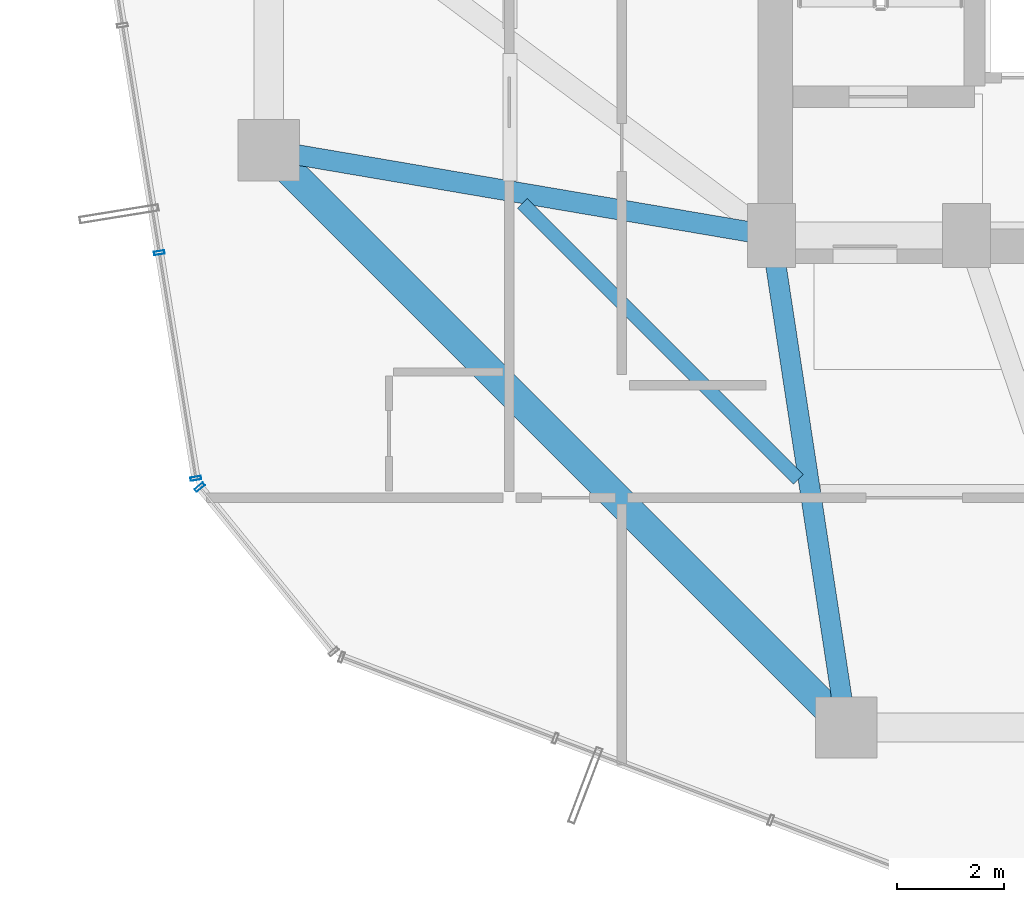
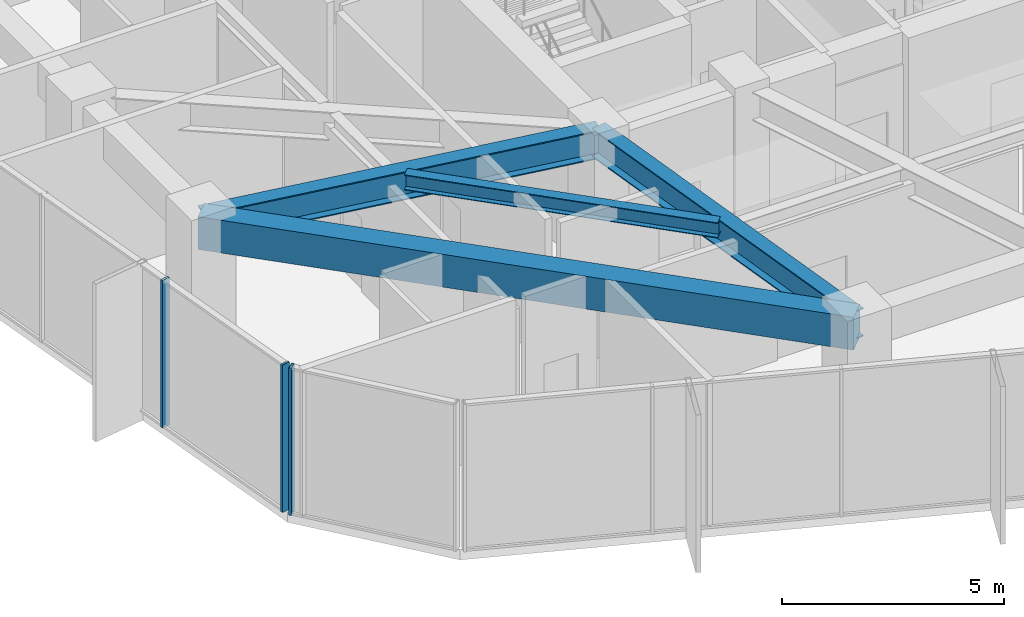
# One storey, part 4 of 26: 4 beams, 3 members, 2 elements without a shape of their own.
"""IFC4 building model written with IfcOpenShell, lengths in metres."""

from ifc_helpers import new_model, si_unit, direction, frame, origin, origin_2d, place, context, subcontext, project, spatial, rectangle, hollow_rectangle, i_section, extrude, source, transform, mapped, material, layer, layer_set, material_profile, profile_set, type_object, element, aggregate, save


model = new_model("IFC4")

# Units and contexts
model_context = context("Model", 3, precision=1e-05, world=origin(), true_north=direction((0.0, 1.0)))
body_context = subcontext(model_context, "Body", "Model", "MODEL_VIEW")
ifc_project = project(units=[si_unit("LENGTHUNIT", "METRE"), si_unit("AREAUNIT", "SQUARE_METRE"), si_unit("VOLUMEUNIT", "CUBIC_METRE"), si_unit("PLANEANGLEUNIT", "RADIAN"), si_unit("MASSUNIT", "GRAM", prefix="KILO")], contexts=[model_context])

# Site, building, storey
site_placement = place(None, origin())
site = spatial("IfcSite", under=ifc_project, at=site_placement, CompositionType="ELEMENT")
building_placement = place(site_placement, origin())
building = spatial("IfcBuilding", under=site, at=building_placement, Name="Veraguas Prism Commons", CompositionType="ELEMENT")
storey_placement = place(building_placement, frame((0.0, 0.0, 158.75)))
storey = spatial("IfcBuildingStorey", under=building, at=storey_placement, Name="L45", CompositionType="ELEMENT", Elevation=158.75)

# Beams
ifc_material_1 = material(Name="Steel ASTM A992 Grade 50", Category="steel")
ifc_material_profile_1 = material_profile(ifc_material_1, i_section(OverallWidth=0.382080078125, OverallDepth=0.779052734375, WebThickness=0.01806640625, FlangeThickness=0.030029296875, at=origin_2d()), Name="W760X284")
ifc_profile_set_1 = profile_set([ifc_material_profile_1], Name="Steel ASTM A992 Grade 50")
beam_type_1 = type_object("IfcBeamType", Name="Assembly Primary Girder W760x284", PredefinedType="BEAM", material=ifc_profile_set_1)
beam_1_placement = place(storey_placement, frame((7.800048828125, 18.60009765625, 3.660400390625), z_axis=(0.985819187151, -0.1678109956, 0.0), x_axis=(0.1678109956, 0.985819187151, 0.0)))
element("IfcBeam", 1, at=beam_1_placement, inside=storey, type_object=beam_type_1, Name="Radial Floor Girder L45-RD09", PredefinedType="BEAM", context=body_context, shape_type="SweptSolid", body=[
    extrude(i_section(OverallWidth=0.382080078125, OverallDepth=0.779052734375, WebThickness=0.01806640625, FlangeThickness=0.030029296875, at=origin_2d()), origin(), (0.0, 0.0, 1.0), 9.53515625),
])
beam_2_placement = place(storey_placement, frame((18.60009765625, 7.800048828125, 3.660400390625), z_axis=(-0.150458162136, 0.98861637729, 0.0), x_axis=(-0.98861637729, -0.150458162136, 0.0)))
element("IfcBeam", 2, at=beam_2_placement, inside=storey, type_object=beam_type_1, Name="Radial Floor Girder L45-RD10", PredefinedType="BEAM", context=body_context, shape_type="SweptSolid", body=[
    extrude(i_section(OverallWidth=0.382080078125, OverallDepth=0.779052734375, WebThickness=0.01806640625, FlangeThickness=0.030029296875, at=origin_2d()), origin(), (0.0, 0.0, 1.0), 9.305908203125),
])
ifc_material_profile_2 = material_profile(ifc_material_1, i_section(OverallWidth=0.260986328125, OverallDepth=0.419921875, WebThickness=0.01171875, FlangeThickness=0.019287109375, at=origin_2d()), Name="W410X114")
ifc_profile_set_2 = profile_set([ifc_material_profile_2], Name="Steel ASTM A992 Grade 50")
beam_type_2 = type_object("IfcBeamType", Name="Lower Floor Joist W410x114", PredefinedType="JOIST", material=ifc_profile_set_2)
beam_3_placement = place(storey_placement, frame((12.54296875, 17.60107421875, 3.840087890625), z_axis=(0.707090051465, -0.707123510512, 0.0), x_axis=(0.707123510512, 0.707090051465, 0.0)))
element("IfcBeam", 3, at=beam_3_placement, inside=storey, type_object=beam_type_2, Name="Composite Floor Joist L45-JS09", PredefinedType="JOIST", context=body_context, shape_type="SweptSolid", body=[
    extrude(i_section(OverallWidth=0.260986328125, OverallDepth=0.419921875, WebThickness=0.01171875, FlangeThickness=0.019287109375, at=origin_2d()), origin(), (0.0, 0.0, 1.0), 7.296630859375),
])
ifc_material_2 = material(Name="Concrete C50/60", Category="concrete")
ifc_material_profile_3 = material_profile(ifc_material_2, rectangle(XDim=0.550048828125, YDim=0.89990234375, at=origin_2d()), Name="RC550X900")
ifc_profile_set_3 = profile_set([ifc_material_profile_3], Name="Concrete C50/60")
beam_type_3 = type_object("IfcBeamType", Name="Perimeter Spandrel Lower RC 550x900", PredefinedType="SPANDREL", material=ifc_profile_set_3)
beam_4_placement = place(storey_placement, frame((7.800048828125, 18.60009765625, 3.60009765625), z_axis=(0.707106781187, -0.707106781187, 0.0), x_axis=(0.707106781187, 0.707106781187, 0.0)))
element("IfcBeam", 4, at=beam_4_placement, inside=storey, type_object=beam_type_3, Name="Perimeter Spandrel Beam L45-SP09", PredefinedType="SPANDREL", context=body_context, shape_type="SweptSolid", body=[
    extrude(rectangle(XDim=0.550048828125, YDim=0.89990234375, at=origin_2d()), origin(), (0.0, 0.0, 1.0), 15.273681640625),
])

# Curtain wall, members
ifc_material_3 = material(Name="Anodised aluminium EN AW-6063 T6", Category="aluminium")
ifc_layer = layer(ifc_material_3, 0.199951171875, Name="Sky Lobby and Pool Acoustic Curtain Wall", Category="aluminium")
ifc_layer_set = layer_set([ifc_layer], Name="Anodised aluminium EN AW-6063 T6")
curtain_wall_type = type_object("IfcCurtainWallType", Name="Sky Lobby and Pool Acoustic Curtain Wall", PredefinedType="NOTDEFINED", material=ifc_layer_set)
curtain_wall_1_placement = place(storey_placement, origin())
curtain_wall_1 = element("IfcCurtainWall", 5, at=curtain_wall_1_placement, inside=storey, type_object=curtain_wall_type, Name="Tower Facade Curtain Wall L45-F3", PredefinedType="NOTDEFINED")
ifc_material_profile_4 = material_profile(ifc_material_3, hollow_rectangle(XDim=0.06494140625, YDim=0.199951171875, WallThickness=0.00390625, at=origin_2d()), Name="AL65X200X4")
ifc_profile_set_4 = profile_set([ifc_material_profile_4], Name="Anodised aluminium EN AW-6063 T6")
member_type = type_object("IfcMemberType", Name="Curtain Wall Mullion Heavy AL 65x200x4", PredefinedType="MULLION", material=ifc_profile_set_4)
shared_shape = source(origin(), body_context, "Body", "SweptSolid", [
    extrude(hollow_rectangle(XDim=0.06494140625, YDim=0.199951171875, WallThickness=0.00390625, at=origin_2d()), origin(), (0.0, 0.0, 1.0), 4.050048828125),
])
member_1_placement = place(storey_placement, frame((5.753173828125, 16.679931640625, 0.0), z_axis=(0.0, 0.0, 1.0), x_axis=(0.159877741935, -0.987136823158, 0.0)))
member_1 = element("IfcMember", 6, at=member_1_placement, type_object=member_type, Name="CW-SKY Mullion 4", PredefinedType="MULLION", context=body_context, shape_type="MappedRepresentation", body=[
    mapped(shared_shape, transform((0.0, 0.0, 0.0), scale=1.0)),
])
member_2_placement = place(storey_placement, frame((6.436767578125, 12.458740234375, 0.0), z_axis=(0.0, 0.0, 1.0), x_axis=(0.159877741935, -0.987136823158, 0.0)))
member_2 = element("IfcMember", 7, at=member_2_placement, type_object=member_type, Name="CW-SKY Mullion 5", PredefinedType="MULLION", context=body_context, shape_type="MappedRepresentation", body=[
    mapped(shared_shape, transform((0.0, 0.0, 0.0), scale=1.0)),
])
aggregate(curtain_wall_1, [member_1, member_2])

# Curtain wall, member
curtain_wall_2_placement = place(storey_placement, origin())
curtain_wall_2 = element("IfcCurtainWall", 8, at=curtain_wall_2_placement, inside=storey, type_object=curtain_wall_type, Name="Chamfer Curtain Wall L45-C4", PredefinedType="NOTDEFINED")
member_3_placement = place(storey_placement, frame((6.510009765625, 12.2958984375, 0.0), z_axis=(0.0, 0.0, 1.0), x_axis=(0.632041475386, -0.774934560716, 0.0)))
member_3 = element("IfcMember", 9, at=member_3_placement, type_object=member_type, Name="CW-SKY Mullion 1", PredefinedType="MULLION", context=body_context, shape_type="MappedRepresentation", body=[
    mapped(shared_shape, transform((0.0, 0.0, 0.0), scale=1.0)),
])
aggregate(curtain_wall_2, [member_3])

save(model, "model.ifc")
